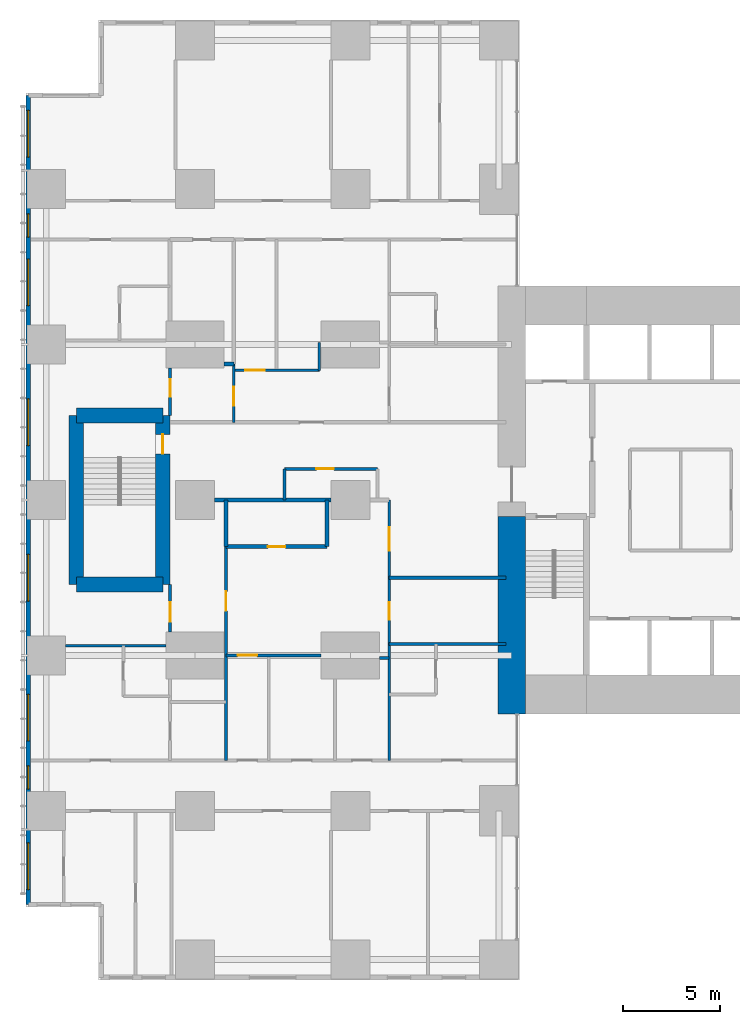
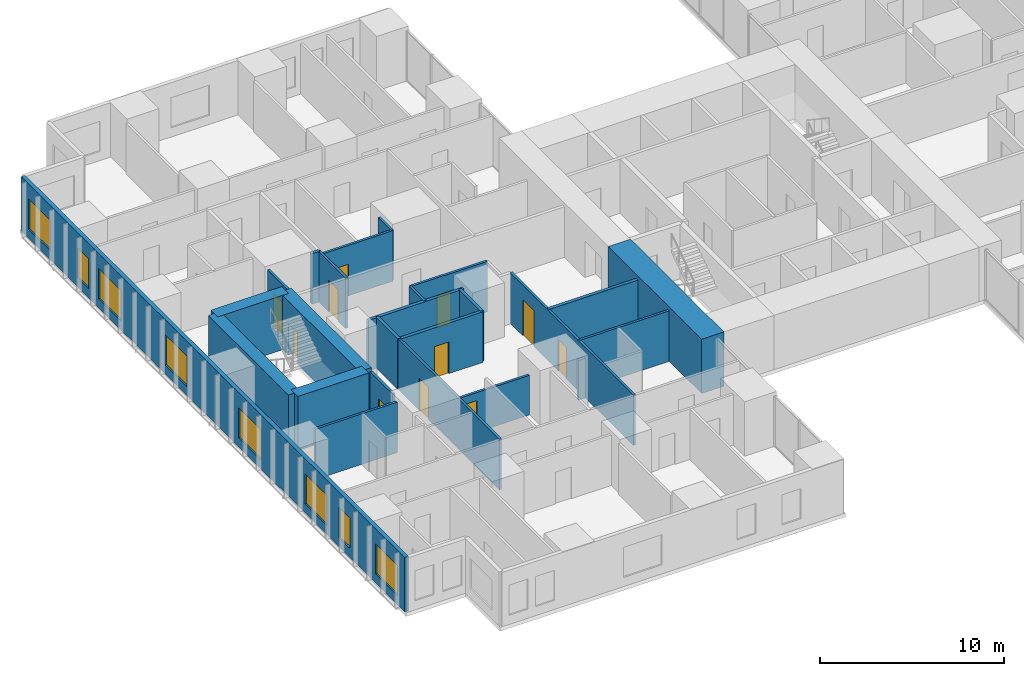
# One storey, part 13 of 20: 25 walls, 11 doors, 8 windows, 19 openings.
"""IFC4 building model written with IfcOpenShell, lengths in metres."""

from ifc_helpers import new_model, si_unit, direction, frame, frame_2d, origin, place, context, subcontext, project, spatial, rectangle, extrude, material, layer, layer_set, type_object, element, fill, save


model = new_model("IFC4")

# Units and contexts
model_context = context("Model", 3, precision=1e-05, world=origin(), true_north=direction((0.0, 1.0)))
body_context = subcontext(model_context, "Body", "Model", "MODEL_VIEW")
ifc_project = project(units=[si_unit("LENGTHUNIT", "METRE"), si_unit("AREAUNIT", "SQUARE_METRE"), si_unit("VOLUMEUNIT", "CUBIC_METRE"), si_unit("PLANEANGLEUNIT", "RADIAN"), si_unit("MASSUNIT", "GRAM", prefix="KILO")], contexts=[model_context])

# Site, building, storey
site_placement = place(None, origin())
site = spatial("IfcSite", under=ifc_project, at=site_placement, CompositionType="ELEMENT")
building_placement = place(site_placement, origin())
building = spatial("IfcBuilding", under=site, at=building_placement, Name="Cleftline Residences", CompositionType="ELEMENT")
storey_placement = place(building_placement, frame((0.0, 0.0, 83.60009765625)))
storey = spatial("IfcBuildingStorey", under=building, at=storey_placement, Name="L21", CompositionType="ELEMENT", Elevation=83.60009765625)

# Wall
ifc_material_1 = material(Name="Concrete B70", Category="concrete")
ifc_layer_1 = layer(ifc_material_1, 1.39990234375)
ifc_layer_set_1 = layer_set([ifc_layer_1], Name="CORE WALL 1400")
wall_type_1 = type_object("IfcWallType", Name="CORE WALL 1400", PredefinedType="SHEAR", material=ifc_layer_set_1)
wall_1_placement = place(storey_placement, frame((24.300048828125, 13.0, 0.0), z_axis=(0.0, 0.0, 1.0), x_axis=(0.0, 1.0, 0.0)))
element("IfcWall", 1, at=wall_1_placement, inside=storey, type_object=wall_type_1, Name="Core wall W0", PredefinedType="SHEAR", context=body_context, shape_type="SweptSolid", body=[
    extrude(rectangle(XDim=10.14990234375, YDim=1.39990234375, at=frame_2d((5.074951171875, 0.0))), origin(), (0.0, 0.0, 1.0), 3.599853515625),
])

# Wall, openings, windows
ifc_material_2 = material(Name="Rendered reinforced concrete blockwork", Category="masonry")
ifc_layer_2 = layer(ifc_material_2, 0.25)
ifc_layer_set_2 = layer_set([ifc_layer_2], Name="EXTERNAL WALL 250")
wall_type_2 = type_object("IfcWallType", Name="EXTERNAL WALL 250", PredefinedType="SOLIDWALL", material=ifc_layer_set_2)
wall_2_placement = place(storey_placement, frame((-0.574951171875, 44.824951171875, 0.0), z_axis=(0.0, 0.0, 1.0), x_axis=(0.0, -1.0, 0.0)))
wall_2 = element("IfcWall", 2, at=wall_2_placement, inside=storey, type_object=wall_type_2, Name="External wall", PredefinedType="SOLIDWALL", context=body_context, shape_type="SweptSolid", body=[
    extrude(rectangle(XDim=41.64990234375, YDim=0.25, at=frame_2d((20.824951171875, 0.0))), origin(), (0.0, 0.0, 1.0), 3.599853515625),
])
opening_1_placement = place(wall_2_placement, frame((0.77490234375, 0.0, 0.60009765625)))
opening_1 = element("IfcOpeningElement", 3, at=opening_1_placement, cuts=wall_2, Name="Opening W6", PredefinedType="OPENING", context=body_context, shape_type="SweptSolid", body=[
    extrude(rectangle(XDim=2.39990234375, YDim=2.0, at=frame_2d((1.199951171875, 1.0))), frame((0.0, 0.135009765625, 0.0), z_axis=(0.0, -1.0, 0.0), x_axis=(1.0, 0.0, 0.0)), (0.0, 0.0, 1.0), 0.27001953125),
])
opening_2_placement = place(wall_2_placement, frame((6.10009765625, 0.0, 0.60009765625)))
opening_2 = element("IfcOpeningElement", 4, at=opening_2_placement, cuts=wall_2, Name="Opening W8", PredefinedType="OPENING", context=body_context, shape_type="SweptSolid", body=[
    extrude(rectangle(XDim=1.199951171875, YDim=2.0, at=frame_2d((0.60009765625, 1.0))), frame((0.0, 0.135009765625, 0.0), z_axis=(0.0, -1.0, 0.0), x_axis=(1.0, 0.0, 0.0)), (0.0, 0.0, 1.0), 0.27001953125),
])
opening_3_placement = place(wall_2_placement, frame((8.425048828125, 0.0, 0.60009765625)))
opening_3 = element("IfcOpeningElement", 5, at=opening_3_placement, cuts=wall_2, Name="Opening W6", PredefinedType="OPENING", context=body_context, shape_type="SweptSolid", body=[
    extrude(rectangle(XDim=2.39990234375, YDim=2.0, at=frame_2d((1.199951171875, 1.0))), frame((0.0, 0.135009765625, 0.0), z_axis=(0.0, -1.0, 0.0), x_axis=(1.0, 0.0, 0.0)), (0.0, 0.0, 1.0), 0.27001953125),
])
opening_4_placement = place(wall_2_placement, frame((15.625, 0.0, 0.60009765625)))
opening_4 = element("IfcOpeningElement", 6, at=opening_4_placement, cuts=wall_2, Name="Opening W6", PredefinedType="OPENING", context=body_context, shape_type="SweptSolid", body=[
    extrude(rectangle(XDim=2.39990234375, YDim=2.0, at=frame_2d((1.199951171875, 1.0))), frame((0.0, 0.135009765625, 0.0), z_axis=(0.0, -1.0, 0.0), x_axis=(1.0, 0.0, 0.0)), (0.0, 0.0, 1.0), 0.27001953125),
])
opening_5_placement = place(wall_2_placement, frame((23.625, 0.0, 0.60009765625)))
opening_5 = element("IfcOpeningElement", 7, at=opening_5_placement, cuts=wall_2, Name="Opening W6", PredefinedType="OPENING", context=body_context, shape_type="SweptSolid", body=[
    extrude(rectangle(XDim=2.39990234375, YDim=2.0, at=frame_2d((1.199951171875, 1.0))), frame((0.0, 0.135009765625, 0.0), z_axis=(0.0, -1.0, 0.0), x_axis=(1.0, 0.0, 0.0)), (0.0, 0.0, 1.0), 0.27001953125),
])
opening_6_placement = place(wall_2_placement, frame((30.824951171875, 0.0, 0.60009765625)))
opening_6 = element("IfcOpeningElement", 8, at=opening_6_placement, cuts=wall_2, Name="Opening W6", PredefinedType="OPENING", context=body_context, shape_type="SweptSolid", body=[
    extrude(rectangle(XDim=2.39990234375, YDim=2.0, at=frame_2d((1.199951171875, 1.0))), frame((0.0, 0.135009765625, 0.0), z_axis=(0.0, -1.0, 0.0), x_axis=(1.0, 0.0, 0.0)), (0.0, 0.0, 1.0), 0.27001953125),
])
opening_7_placement = place(wall_2_placement, frame((34.5, 0.0, 0.60009765625)))
opening_7 = element("IfcOpeningElement", 9, at=opening_7_placement, cuts=wall_2, Name="Opening W8", PredefinedType="OPENING", context=body_context, shape_type="SweptSolid", body=[
    extrude(rectangle(XDim=1.199951171875, YDim=2.0, at=frame_2d((0.60009765625, 1.0))), frame((0.0, 0.135009765625, 0.0), z_axis=(0.0, -1.0, 0.0), x_axis=(1.0, 0.0, 0.0)), (0.0, 0.0, 1.0), 0.27001953125),
])
opening_8_placement = place(wall_2_placement, frame((38.47509765625, 0.0, 0.60009765625)))
opening_8 = element("IfcOpeningElement", 10, at=opening_8_placement, cuts=wall_2, Name="Opening W6", PredefinedType="OPENING", context=body_context, shape_type="SweptSolid", body=[
    extrude(rectangle(XDim=2.39990234375, YDim=2.0, at=frame_2d((1.199951171875, 1.0))), frame((0.0, 0.135009765625, 0.0), z_axis=(0.0, -1.0, 0.0), x_axis=(1.0, 0.0, 0.0)), (0.0, 0.0, 1.0), 0.27001953125),
])
ifc_material_3 = material(Name="Aluminium frame, clear double glazing", Category="aluminium")
window_type_1 = type_object("IfcWindowType", Name="WINDOW 1200X2000", PartitioningType="DOUBLE_PANEL_VERTICAL", PredefinedType="WINDOW", material=ifc_material_3)
window_1_placement = place(opening_2_placement, origin())
window_1 = element("IfcWindow", 11, at=window_1_placement, inside=storey, type_object=window_type_1, Name="Window", OverallHeight=2.0, OverallWidth=1.199951171875, PartitioningType="SINGLE_PANEL", PredefinedType="WINDOW", context=body_context, shape_type="SweptSolid", body=[
    extrude(rectangle(XDim=1.199951171875, YDim=2.0, at=frame_2d((0.60009765625, 1.0))), frame((0.0, 0.030029296875, 0.0), z_axis=(0.0, -1.0, 0.0), x_axis=(1.0, 0.0, 0.0)), (0.0, 0.0, 1.0), 0.06005859375),
])
fill(opening_2, window_1)
window_2_placement = place(opening_7_placement, origin())
window_2 = element("IfcWindow", 12, at=window_2_placement, inside=storey, type_object=window_type_1, Name="Window", OverallHeight=2.0, OverallWidth=1.199951171875, PartitioningType="SINGLE_PANEL", PredefinedType="WINDOW", context=body_context, shape_type="SweptSolid", body=[
    extrude(rectangle(XDim=1.199951171875, YDim=2.0, at=frame_2d((0.60009765625, 1.0))), frame((0.0, 0.030029296875, 0.0), z_axis=(0.0, -1.0, 0.0), x_axis=(1.0, 0.0, 0.0)), (0.0, 0.0, 1.0), 0.06005859375),
])
fill(opening_7, window_2)
ifc_material_4 = material(Name="Aluminium frame, clear double glazing", Category="aluminium")
window_type_2 = type_object("IfcWindowType", Name="WINDOW 2400X2000", PartitioningType="DOUBLE_PANEL_VERTICAL", PredefinedType="WINDOW", material=ifc_material_4)
window_3_placement = place(opening_1_placement, origin())
window_3 = element("IfcWindow", 13, at=window_3_placement, inside=storey, type_object=window_type_2, Name="Window", OverallHeight=2.0, OverallWidth=2.39990234375, PartitioningType="SINGLE_PANEL", PredefinedType="WINDOW", context=body_context, shape_type="SweptSolid", body=[
    extrude(rectangle(XDim=2.39990234375, YDim=2.0, at=frame_2d((1.199951171875, 1.0))), frame((0.0, 0.030029296875, 0.0), z_axis=(0.0, -1.0, 0.0), x_axis=(1.0, 0.0, 0.0)), (0.0, 0.0, 1.0), 0.06005859375),
])
fill(opening_1, window_3)
window_4_placement = place(opening_3_placement, origin())
window_4 = element("IfcWindow", 14, at=window_4_placement, inside=storey, type_object=window_type_2, Name="Window", OverallHeight=2.0, OverallWidth=2.39990234375, PartitioningType="SINGLE_PANEL", PredefinedType="WINDOW", context=body_context, shape_type="SweptSolid", body=[
    extrude(rectangle(XDim=2.39990234375, YDim=2.0, at=frame_2d((1.199951171875, 1.0))), frame((0.0, 0.030029296875, 0.0), z_axis=(0.0, -1.0, 0.0), x_axis=(1.0, 0.0, 0.0)), (0.0, 0.0, 1.0), 0.06005859375),
])
fill(opening_3, window_4)
window_5_placement = place(opening_4_placement, origin())
window_5 = element("IfcWindow", 15, at=window_5_placement, inside=storey, type_object=window_type_2, Name="Window", OverallHeight=2.0, OverallWidth=2.39990234375, PartitioningType="SINGLE_PANEL", PredefinedType="WINDOW", context=body_context, shape_type="SweptSolid", body=[
    extrude(rectangle(XDim=2.39990234375, YDim=2.0, at=frame_2d((1.199951171875, 1.0))), frame((0.0, 0.030029296875, 0.0), z_axis=(0.0, -1.0, 0.0), x_axis=(1.0, 0.0, 0.0)), (0.0, 0.0, 1.0), 0.06005859375),
])
fill(opening_4, window_5)
window_6_placement = place(opening_5_placement, origin())
window_6 = element("IfcWindow", 16, at=window_6_placement, inside=storey, type_object=window_type_2, Name="Window", OverallHeight=2.0, OverallWidth=2.39990234375, PartitioningType="SINGLE_PANEL", PredefinedType="WINDOW", context=body_context, shape_type="SweptSolid", body=[
    extrude(rectangle(XDim=2.39990234375, YDim=2.0, at=frame_2d((1.199951171875, 1.0))), frame((0.0, 0.030029296875, 0.0), z_axis=(0.0, -1.0, 0.0), x_axis=(1.0, 0.0, 0.0)), (0.0, 0.0, 1.0), 0.06005859375),
])
fill(opening_5, window_6)
window_7_placement = place(opening_6_placement, origin())
window_7 = element("IfcWindow", 17, at=window_7_placement, inside=storey, type_object=window_type_2, Name="Window", OverallHeight=2.0, OverallWidth=2.39990234375, PartitioningType="SINGLE_PANEL", PredefinedType="WINDOW", context=body_context, shape_type="SweptSolid", body=[
    extrude(rectangle(XDim=2.39990234375, YDim=2.0, at=frame_2d((1.199951171875, 1.0))), frame((0.0, 0.030029296875, 0.0), z_axis=(0.0, -1.0, 0.0), x_axis=(1.0, 0.0, 0.0)), (0.0, 0.0, 1.0), 0.06005859375),
])
fill(opening_6, window_7)
window_8_placement = place(opening_8_placement, origin())
window_8 = element("IfcWindow", 18, at=window_8_placement, inside=storey, type_object=window_type_2, Name="Window", OverallHeight=2.0, OverallWidth=2.39990234375, PartitioningType="SINGLE_PANEL", PredefinedType="WINDOW", context=body_context, shape_type="SweptSolid", body=[
    extrude(rectangle(XDim=2.39990234375, YDim=2.0, at=frame_2d((1.199951171875, 1.0))), frame((0.0, 0.030029296875, 0.0), z_axis=(0.0, -1.0, 0.0), x_axis=(1.0, 0.0, 0.0)), (0.0, 0.0, 1.0), 0.06005859375),
])
fill(opening_8, window_8)

# Wall
ifc_material_5 = material(Name="Concrete blockwork, fire rated", Category="masonry")
ifc_layer_3 = layer(ifc_material_5, 0.199951171875)
ifc_layer_set_3 = layer_set([ifc_layer_3], Name="FIRE WALL 200")
wall_type_3 = type_object("IfcWallType", Name="FIRE WALL 200", PredefinedType="PARTITIONING", material=ifc_layer_set_3)
wall_3_placement = place(storey_placement, frame((18.0, 20.0, 0.0), z_axis=(0.0, 0.0, 1.0), x_axis=(1.0, 0.0, 0.0)))
element("IfcWall", 19, at=wall_3_placement, inside=storey, type_object=wall_type_3, Name="Fire separating wall", PredefinedType="PARTITIONING", context=body_context, shape_type="SweptSolid", body=[
    extrude(rectangle(XDim=6.0, YDim=0.199951171875, at=frame_2d((3.0, 0.0))), origin(), (0.0, 0.0, 1.0), 3.349853515625),
])

# Wall, opening, door
wall_4_placement = place(storey_placement, frame((9.60009765625, 21.60009765625, 0.0), z_axis=(0.0, 0.0, 1.0), x_axis=(1.0, 0.0, 0.0)))
wall_4 = element("IfcWall", 20, at=wall_4_placement, inside=storey, type_object=wall_type_3, Name="Fire separating wall", PredefinedType="PARTITIONING", context=body_context, shape_type="SweptSolid", body=[
    extrude(rectangle(XDim=5.199951171875, YDim=0.199951171875, at=frame_2d((2.60009765625, 0.0))), origin(), (0.0, 0.0, 1.0), 3.349853515625),
])
opening_9_placement = place(wall_4_placement, frame((2.14990234375, 0.0, 0.0)))
opening_9 = element("IfcOpeningElement", 21, at=opening_9_placement, cuts=wall_4, Name="Opening D1F30", PredefinedType="OPENING", context=body_context, shape_type="SweptSolid", body=[
    extrude(rectangle(XDim=0.89990234375, YDim=2.10009765625, at=frame_2d((0.449951171875, 1.050048828125))), frame((0.0, 0.10986328125, 0.0), z_axis=(0.0, -1.0, 0.0), x_axis=(1.0, 0.0, 0.0)), (0.0, 0.0, 1.0), 0.219970703125),
])
ifc_material_6 = material(Name="Timber veneer on solid core", Category="wood")
door_type_1 = type_object("IfcDoorType", Name="DOOR 900X2100 EI 30", OperationType="SINGLE_SWING_LEFT", PredefinedType="DOOR", material=ifc_material_6)
door_1_placement = place(opening_9_placement, origin())
door_1 = element("IfcDoor", 22, at=door_1_placement, inside=storey, type_object=door_type_1, Name="Door to cloakroom wc", OperationType="SINGLE_SWING_LEFT", OverallHeight=2.10009765625, OverallWidth=0.89990234375, PredefinedType="DOOR", context=body_context, shape_type="SweptSolid", body=[
    extrude(rectangle(XDim=0.89990234375, YDim=2.10009765625, at=frame_2d((0.449951171875, 1.050048828125))), frame((0.0, 0.02490234375, 0.0), z_axis=(0.0, -1.0, 0.0), x_axis=(1.0, 0.0, 0.0)), (0.0, 0.0, 1.0), 0.050048828125),
])
fill(opening_9, door_1)

# Walls
wall_5_placement = place(storey_placement, frame((9.0, 24.0, 0.0), z_axis=(0.0, 0.0, 1.0), x_axis=(1.0, 0.0, 0.0)))
element("IfcWall", 23, at=wall_5_placement, inside=storey, type_object=wall_type_3, Name="Fire separating wall", PredefinedType="PARTITIONING", context=body_context, shape_type="SweptSolid", body=[
    extrude(rectangle(XDim=6.0, YDim=0.199951171875, at=frame_2d((3.0, 0.0))), origin(), (0.0, 0.0, 1.0), 3.349853515625),
])
wall_6_placement = place(storey_placement, frame((9.5, 31.0, 0.0), z_axis=(0.0, 0.0, 1.0), x_axis=(1.0, 0.0, 0.0)))
element("IfcWall", 24, at=wall_6_placement, inside=storey, type_object=wall_type_3, Name="Fire separating wall", PredefinedType="PARTITIONING", context=body_context, shape_type="SweptSolid", body=[
    extrude(rectangle(XDim=0.5, YDim=0.199951171875, at=frame_2d((0.25, 0.0))), origin(), (0.0, 0.0, 1.0), 3.349853515625),
])
for number, where, z_axis, x_axis, name in (
    (25, (9.60009765625, 21.60009765625, 0.0), (0.0, 0.0, 1.0), (0.0, 1.0, 0.0), "Fire separating wall"),
    (26, (14.800048828125, 21.60009765625, 0.0), (0.0, 0.0, 1.0), (0.0, 1.0, 0.0), "Fire separating wall"),
):
    element("IfcWall", number, at=place(storey_placement, frame(where, z_axis=z_axis, x_axis=x_axis)), inside=storey, type_object=wall_type_3, Name=name, PredefinedType="PARTITIONING", context=body_context, shape_type="SweptSolid", body=[
        extrude(rectangle(XDim=2.39990234375, YDim=0.199951171875, at=frame_2d((1.199951171875, 0.0))), origin(), (0.0, 0.0, 1.0), 3.349853515625),
    ])
ifc_material_7 = material(Name="Gypsum board on steel studs", Category="steel")
ifc_layer_4 = layer(ifc_material_7, 0.14990234375)
ifc_layer_set_4 = layer_set([ifc_layer_4], Name="PARTITION 150")
wall_type_4 = type_object("IfcWallType", Name="PARTITION 150", PredefinedType="PARTITIONING", material=ifc_layer_set_4)
wall_7_placement = place(storey_placement, frame((17.5, 15.875, 0.0), z_axis=(0.0, 0.0, 1.0), x_axis=(1.0, 0.0, 0.0)))
element("IfcWall", 27, at=wall_7_placement, inside=storey, type_object=wall_type_4, Name="Partition", PredefinedType="PARTITIONING", context=body_context, shape_type="SweptSolid", body=[
    extrude(rectangle(XDim=0.5, YDim=0.14990234375, at=frame_2d((0.25, 0.0))), origin(), (0.0, 0.0, 1.0), 2.6337890625),
])

# Wall, opening, door
wall_8_placement = place(storey_placement, frame((9.60009765625, 16.0, 0.0), z_axis=(0.0, 0.0, 1.0), x_axis=(1.0, 0.0, 0.0)))
wall_8 = element("IfcWall", 28, at=wall_8_placement, inside=storey, type_object=wall_type_4, Name="Partition", PredefinedType="PARTITIONING", context=body_context, shape_type="SweptSolid", body=[
    extrude(rectangle(XDim=4.89990234375, YDim=0.14990234375, at=frame_2d((2.449951171875, 0.0))), origin(), (0.0, 0.0, 1.0), 2.6337890625),
])
opening_10_placement = place(wall_8_placement, frame((0.60009765625, 0.0, 0.0)))
opening_10 = element("IfcOpeningElement", 29, at=opening_10_placement, cuts=wall_8, Name="Opening D2", PredefinedType="OPENING", context=body_context, shape_type="SweptSolid", body=[
    extrude(rectangle(XDim=1.0, YDim=2.10009765625, at=frame_2d((0.5, 1.050048828125))), frame((0.0, 0.0849609375, 0.0), z_axis=(0.0, -1.0, 0.0), x_axis=(1.0, 0.0, 0.0)), (0.0, 0.0, 1.0), 0.169921875),
])
ifc_material_8 = material(Name="Timber veneer on solid core", Category="wood")
door_type_2 = type_object("IfcDoorType", Name="DOOR 1000X2100", OperationType="SINGLE_SWING_LEFT", PredefinedType="DOOR", material=ifc_material_8)
door_2_placement = place(opening_10_placement, origin())
door_2 = element("IfcDoor", 30, at=door_2_placement, inside=storey, type_object=door_type_2, Name="Door to residence passage", OperationType="SINGLE_SWING_RIGHT", OverallHeight=2.10009765625, OverallWidth=1.0, PredefinedType="DOOR", context=body_context, shape_type="SweptSolid", body=[
    extrude(rectangle(XDim=1.0, YDim=2.10009765625, at=frame_2d((0.5, 1.050048828125))), frame((0.0, 0.02490234375, 0.0), z_axis=(0.0, -1.0, 0.0), x_axis=(1.0, 0.0, 0.0)), (0.0, 0.0, 1.0), 0.050048828125),
])
fill(opening_10, door_2)

# Walls
wall_9_placement = place(storey_placement, frame((1.35009765625, 16.5, 0.0), z_axis=(0.0, 0.0, 1.0), x_axis=(1.0, 0.0, 0.0)))
element("IfcWall", 31, at=wall_9_placement, inside=storey, type_object=wall_type_4, Name="Partition", PredefinedType="PARTITIONING", context=body_context, shape_type="SweptSolid", body=[
    extrude(rectangle(XDim=5.14990234375, YDim=0.14990234375, at=frame_2d((2.574951171875, 0.0))), origin(), (0.0, 0.0, 1.0), 3.349853515625),
])
wall_10_placement = place(storey_placement, frame((18.0, 16.60009765625, 0.0), z_axis=(0.0, 0.0, 1.0), x_axis=(1.0, 0.0, 0.0)))
element("IfcWall", 32, at=wall_10_placement, inside=storey, type_object=wall_type_4, Name="Partition", PredefinedType="PARTITIONING", context=body_context, shape_type="SweptSolid", body=[
    extrude(rectangle(XDim=6.0, YDim=0.14990234375, at=frame_2d((3.0, 0.0))), origin(), (0.0, 0.0, 1.0), 3.349853515625),
])

# Wall, opening, door
wall_11_placement = place(storey_placement, frame((12.60009765625, 25.60009765625, 0.0), z_axis=(0.0, 0.0, 1.0), x_axis=(1.0, 0.0, 0.0)))
wall_11 = element("IfcWall", 33, at=wall_11_placement, inside=storey, type_object=wall_type_4, Name="Partition", PredefinedType="PARTITIONING", context=body_context, shape_type="SweptSolid", body=[
    extrude(rectangle(XDim=4.7998046875, YDim=0.14990234375, at=frame_2d((2.39990234375, 0.0))), origin(), (0.0, 0.0, 1.0), 3.349853515625),
])
opening_11_placement = place(wall_11_placement, frame((1.64990234375, 0.0, 0.0)))
opening_11 = element("IfcOpeningElement", 34, at=opening_11_placement, cuts=wall_11, Name="Opening D1", PredefinedType="OPENING", context=body_context, shape_type="SweptSolid", body=[
    extrude(rectangle(XDim=0.89990234375, YDim=2.10009765625, at=frame_2d((0.449951171875, 1.050048828125))), frame((0.0, 0.0849609375, 0.0), z_axis=(0.0, -1.0, 0.0), x_axis=(1.0, 0.0, 0.0)), (0.0, 0.0, 1.0), 0.169921875),
])
ifc_material_9 = material(Name="Timber veneer on solid core", Category="wood")
door_type_3 = type_object("IfcDoorType", Name="DOOR 900X2100", OperationType="SINGLE_SWING_LEFT", PredefinedType="DOOR", material=ifc_material_9)
door_3_placement = place(opening_11_placement, origin())
door_3 = element("IfcDoor", 35, at=door_3_placement, inside=storey, type_object=door_type_3, Name="Door to bulky waste room", OperationType="SINGLE_SWING_RIGHT", OverallHeight=2.10009765625, OverallWidth=0.89990234375, PredefinedType="DOOR", context=body_context, shape_type="SweptSolid", body=[
    extrude(rectangle(XDim=0.89990234375, YDim=2.10009765625, at=frame_2d((0.449951171875, 1.050048828125))), frame((0.0, 0.02490234375, 0.0), z_axis=(0.0, -1.0, 0.0), x_axis=(1.0, 0.0, 0.0)), (0.0, 0.0, 1.0), 0.050048828125),
])
fill(opening_11, door_3)

wall_12_placement = place(storey_placement, frame((10.0, 30.675048828125, 0.0), z_axis=(0.0, 0.0, 1.0), x_axis=(1.0, 0.0, 0.0)))
wall_12 = element("IfcWall", 36, at=wall_12_placement, inside=storey, type_object=wall_type_4, Name="Partition", PredefinedType="PARTITIONING", context=body_context, shape_type="SweptSolid", body=[
    extrude(rectangle(XDim=4.39990234375, YDim=0.14990234375, at=frame_2d((2.199951171875, 0.0))), origin(), (0.0, 0.0, 1.0), 3.349853515625),
])
opening_12_placement = place(wall_12_placement, frame((0.60009765625, 0.0, 0.0)))
opening_12 = element("IfcOpeningElement", 37, at=opening_12_placement, cuts=wall_12, Name="Opening D2", PredefinedType="OPENING", context=body_context, shape_type="SweptSolid", body=[
    extrude(rectangle(XDim=1.0, YDim=2.10009765625, at=frame_2d((0.5, 1.050048828125))), frame((0.0, 0.0849609375, 0.0), z_axis=(0.0, -1.0, 0.0), x_axis=(1.0, 0.0, 0.0)), (0.0, 0.0, 1.0), 0.169921875),
])
door_4_placement = place(opening_12_placement, origin())
door_4 = element("IfcDoor", 38, at=door_4_placement, inside=storey, type_object=door_type_2, Name="Door to residence passage", OperationType="SINGLE_SWING_RIGHT", OverallHeight=2.10009765625, OverallWidth=1.0, PredefinedType="DOOR", context=body_context, shape_type="SweptSolid", body=[
    extrude(rectangle(XDim=1.0, YDim=2.10009765625, at=frame_2d((0.5, 1.050048828125))), frame((0.0, 0.02490234375, 0.0), z_axis=(0.0, -1.0, 0.0), x_axis=(1.0, 0.0, 0.0)), (0.0, 0.0, 1.0), 0.050048828125),
])
fill(opening_12, door_4)

wall_13_placement = place(storey_placement, frame((6.72509765625, 17.199951171875, 0.0), z_axis=(0.0, 0.0, 1.0), x_axis=(0.0, 1.0, 0.0)))
wall_13 = element("IfcWall", 39, at=wall_13_placement, inside=storey, type_object=wall_type_4, Name="Partition", PredefinedType="PARTITIONING", context=body_context, shape_type="SweptSolid", body=[
    extrude(rectangle(XDim=2.449951171875, YDim=0.14990234375, at=frame_2d((1.22509765625, 0.0))), origin(), (0.0, 0.0, 1.0), 3.349853515625),
])
opening_13_placement = place(wall_13_placement, frame((0.53759765625, 0.0, 0.0)))
opening_13 = element("IfcOpeningElement", 40, at=opening_13_placement, cuts=wall_13, Name="Opening D2", PredefinedType="OPENING", context=body_context, shape_type="SweptSolid", body=[
    extrude(rectangle(XDim=1.0, YDim=2.10009765625, at=frame_2d((0.5, 1.050048828125))), frame((0.0, 0.0849609375, 0.0), z_axis=(0.0, -1.0, 0.0), x_axis=(1.0, 0.0, 0.0)), (0.0, 0.0, 1.0), 0.169921875),
])
door_5_placement = place(opening_13_placement, origin())
door_5 = element("IfcDoor", 41, at=door_5_placement, inside=storey, type_object=door_type_2, Name="Door to altar room", OperationType="SINGLE_SWING_RIGHT", OverallHeight=2.10009765625, OverallWidth=1.0, PredefinedType="DOOR", context=body_context, shape_type="SweptSolid", body=[
    extrude(rectangle(XDim=1.0, YDim=2.10009765625, at=frame_2d((0.5, 1.050048828125))), frame((0.0, 0.02490234375, 0.0), z_axis=(0.0, -1.0, 0.0), x_axis=(1.0, 0.0, 0.0)), (0.0, 0.0, 1.0), 0.050048828125),
])
fill(opening_13, door_5)

wall_14_placement = place(storey_placement, frame((6.72509765625, 28.35009765625, 0.0), z_axis=(0.0, 0.0, 1.0), x_axis=(0.0, 1.0, 0.0)))
wall_14 = element("IfcWall", 42, at=wall_14_placement, inside=storey, type_object=wall_type_4, Name="Partition", PredefinedType="PARTITIONING", context=body_context, shape_type="SweptSolid", body=[
    extrude(rectangle(XDim=2.449951171875, YDim=0.14990234375, at=frame_2d((1.22509765625, 0.0))), origin(), (0.0, 0.0, 1.0), 3.349853515625),
])
opening_14_placement = place(wall_14_placement, frame((0.96240234375, 0.0, 0.0)))
opening_14 = element("IfcOpeningElement", 43, at=opening_14_placement, cuts=wall_14, Name="Opening D1", PredefinedType="OPENING", context=body_context, shape_type="SweptSolid", body=[
    extrude(rectangle(XDim=0.89990234375, YDim=2.10009765625, at=frame_2d((0.449951171875, 1.050048828125))), frame((0.0, 0.0849609375, 0.0), z_axis=(0.0, -1.0, 0.0), x_axis=(1.0, 0.0, 0.0)), (0.0, 0.0, 1.0), 0.169921875),
])
door_6_placement = place(opening_14_placement, origin())
door_6 = element("IfcDoor", 44, at=door_6_placement, inside=storey, type_object=door_type_3, Name="Door to drying loggia", OperationType="SINGLE_SWING_LEFT", OverallHeight=2.10009765625, OverallWidth=0.89990234375, PredefinedType="DOOR", context=body_context, shape_type="SweptSolid", body=[
    extrude(rectangle(XDim=0.89990234375, YDim=2.10009765625, at=frame_2d((0.449951171875, 1.050048828125))), frame((0.0, 0.02490234375, 0.0), z_axis=(0.0, -1.0, 0.0), x_axis=(1.0, 0.0, 0.0)), (0.0, 0.0, 1.0), 0.050048828125),
])
fill(opening_14, door_6)

wall_15_placement = place(storey_placement, frame((9.60009765625, 10.60009765625, 0.0), z_axis=(0.0, 0.0, 1.0), x_axis=(0.0, 1.0, 0.0)))
wall_15 = element("IfcWall", 45, at=wall_15_placement, inside=storey, type_object=wall_type_4, Name="Partition", PredefinedType="PARTITIONING", context=body_context, shape_type="SweptSolid", body=[
    extrude(rectangle(XDim=11.0, YDim=0.14990234375, at=frame_2d((5.5, 0.0))), origin(), (0.0, 0.0, 1.0), 3.349853515625),
])
opening_15_placement = place(wall_15_placement, frame((7.699951171875, 0.0, 0.0)))
opening_15 = element("IfcOpeningElement", 46, at=opening_15_placement, cuts=wall_15, Name="Opening D2F30", PredefinedType="OPENING", context=body_context, shape_type="SweptSolid", body=[
    extrude(rectangle(XDim=1.0, YDim=2.10009765625, at=frame_2d((0.5, 1.050048828125))), frame((0.0, 0.0849609375, 0.0), z_axis=(0.0, -1.0, 0.0), x_axis=(1.0, 0.0, 0.0)), (0.0, 0.0, 1.0), 0.169921875),
])
ifc_material_10 = material(Name="Timber veneer on solid core", Category="wood")
door_type_4 = type_object("IfcDoorType", Name="DOOR 1000X2100 EI 30", OperationType="SINGLE_SWING_LEFT", PredefinedType="DOOR", material=ifc_material_10)
door_7_placement = place(opening_15_placement, origin())
door_7 = element("IfcDoor", 47, at=door_7_placement, inside=storey, type_object=door_type_4, Name="Door to residence lobby", OperationType="SINGLE_SWING_LEFT", OverallHeight=2.10009765625, OverallWidth=1.0, PredefinedType="DOOR", context=body_context, shape_type="SweptSolid", body=[
    extrude(rectangle(XDim=1.0, YDim=2.10009765625, at=frame_2d((0.5, 1.050048828125))), frame((0.0, 0.02490234375, 0.0), z_axis=(0.0, -1.0, 0.0), x_axis=(1.0, 0.0, 0.0)), (0.0, 0.0, 1.0), 0.050048828125),
])
fill(opening_15, door_7)

wall_16_placement = place(storey_placement, frame((10.0, 28.0, 0.0), z_axis=(0.0, 0.0, 1.0), x_axis=(0.0, 1.0, 0.0)))
wall_16 = element("IfcWall", 48, at=wall_16_placement, inside=storey, type_object=wall_type_4, Name="Partition", PredefinedType="PARTITIONING", context=body_context, shape_type="SweptSolid", body=[
    extrude(rectangle(XDim=3.0, YDim=0.14990234375, at=frame_2d((1.5, 0.0))), origin(), (0.0, 0.0, 1.0), 3.349853515625),
])
opening_16_placement = place(wall_16_placement, frame((0.83740234375, 0.0, 0.0)))
opening_16 = element("IfcOpeningElement", 49, at=opening_16_placement, cuts=wall_16, Name="Opening D2F30", PredefinedType="OPENING", context=body_context, shape_type="SweptSolid", body=[
    extrude(rectangle(XDim=1.0, YDim=2.10009765625, at=frame_2d((0.5, 1.050048828125))), frame((0.0, 0.0849609375, 0.0), z_axis=(0.0, -1.0, 0.0), x_axis=(1.0, 0.0, 0.0)), (0.0, 0.0, 1.0), 0.169921875),
])
door_8_placement = place(opening_16_placement, origin())
door_8 = element("IfcDoor", 50, at=door_8_placement, inside=storey, type_object=door_type_4, Name="Door to residence lobby", OperationType="SINGLE_SWING_RIGHT", OverallHeight=2.10009765625, OverallWidth=1.0, PredefinedType="DOOR", context=body_context, shape_type="SweptSolid", body=[
    extrude(rectangle(XDim=1.0, YDim=2.10009765625, at=frame_2d((0.5, 1.050048828125))), frame((0.0, 0.02490234375, 0.0), z_axis=(0.0, -1.0, 0.0), x_axis=(1.0, 0.0, 0.0)), (0.0, 0.0, 1.0), 0.050048828125),
])
fill(opening_16, door_8)

# Walls
wall_17_placement = place(storey_placement, frame((12.60009765625, 24.0, 0.0), z_axis=(0.0, 0.0, 1.0), x_axis=(0.0, 1.0, 0.0)))
element("IfcWall", 51, at=wall_17_placement, inside=storey, type_object=wall_type_4, Name="Partition", PredefinedType="PARTITIONING", context=body_context, shape_type="SweptSolid", body=[
    extrude(rectangle(XDim=1.60009765625, YDim=0.14990234375, at=frame_2d((0.800048828125, 0.0))), origin(), (0.0, 0.0, 1.0), 3.349853515625),
])
wall_18_placement = place(storey_placement, frame((14.39990234375, 30.675048828125, 0.0), z_axis=(0.0, 0.0, 1.0), x_axis=(0.0, 1.0, 0.0)))
element("IfcWall", 52, at=wall_18_placement, inside=storey, type_object=wall_type_4, Name="Partition", PredefinedType="PARTITIONING", context=body_context, shape_type="SweptSolid", body=[
    extrude(rectangle(XDim=1.425048828125, YDim=0.14990234375, at=frame_2d((0.71240234375, 0.0))), origin(), (0.0, 0.0, 1.0), 3.349853515625),
])

# Wall, openings, doors
wall_19_placement = place(storey_placement, frame((18.0, 10.60009765625, 0.0), z_axis=(0.0, 0.0, 1.0), x_axis=(0.0, 1.0, 0.0)))
wall_19 = element("IfcWall", 53, at=wall_19_placement, inside=storey, type_object=wall_type_4, Name="Partition", PredefinedType="PARTITIONING", context=body_context, shape_type="SweptSolid", body=[
    extrude(rectangle(XDim=13.39990234375, YDim=0.14990234375, at=frame_2d((6.699951171875, 0.0))), origin(), (0.0, 0.0, 1.0), 3.349853515625),
])
opening_17_placement = place(wall_19_placement, frame((10.800048828125, 0.0, 0.0)))
opening_17 = element("IfcOpeningElement", 54, at=opening_17_placement, cuts=wall_19, Name="Opening D4", PredefinedType="OPENING", context=body_context, shape_type="SweptSolid", body=[
    extrude(rectangle(XDim=1.199951171875, YDim=2.39990234375, at=frame_2d((0.60009765625, 1.199951171875))), frame((0.0, 0.0849609375, 0.0), z_axis=(0.0, -1.0, 0.0), x_axis=(1.0, 0.0, 0.0)), (0.0, 0.0, 1.0), 0.169921875),
])
opening_18_placement = place(wall_19_placement, frame((7.25, 0.0, 0.0)))
opening_18 = element("IfcOpeningElement", 55, at=opening_18_placement, cuts=wall_19, Name="Opening D1F60", PredefinedType="OPENING", context=body_context, shape_type="SweptSolid", body=[
    extrude(rectangle(XDim=0.89990234375, YDim=2.10009765625, at=frame_2d((0.449951171875, 1.050048828125))), frame((0.0, 0.0849609375, 0.0), z_axis=(0.0, -1.0, 0.0), x_axis=(1.0, 0.0, 0.0)), (0.0, 0.0, 1.0), 0.169921875),
])
ifc_material_11 = material(Name="Timber veneer on solid core", Category="wood")
door_type_5 = type_object("IfcDoorType", Name="APARTMENT ENTRANCE DOOR 1200X2400", OperationType="SINGLE_SWING_RIGHT", PredefinedType="DOOR", material=ifc_material_11)
door_9_placement = place(opening_17_placement, origin())
door_9 = element("IfcDoor", 56, at=door_9_placement, inside=storey, type_object=door_type_5, Name="Door to residence entrance foyer", OperationType="SINGLE_SWING_LEFT", OverallHeight=2.39990234375, OverallWidth=1.199951171875, PredefinedType="DOOR", context=body_context, shape_type="SweptSolid", body=[
    extrude(rectangle(XDim=1.199951171875, YDim=2.39990234375, at=frame_2d((0.60009765625, 1.199951171875))), frame((0.0, 0.02490234375, 0.0), z_axis=(0.0, -1.0, 0.0), x_axis=(1.0, 0.0, 0.0)), (0.0, 0.0, 1.0), 0.050048828125),
])
fill(opening_17, door_9)
ifc_material_12 = material(Name="Timber veneer on solid core", Category="wood")
door_type_6 = type_object("IfcDoorType", Name="DOOR 900X2100 EI 60", OperationType="SINGLE_SWING_LEFT", PredefinedType="DOOR", material=ifc_material_12)
door_10_placement = place(opening_18_placement, origin())
door_10 = element("IfcDoor", 57, at=door_10_placement, inside=storey, type_object=door_type_6, Name="Door to drying loggia", OperationType="SINGLE_SWING_LEFT", OverallHeight=2.10009765625, OverallWidth=0.89990234375, PredefinedType="DOOR", context=body_context, shape_type="SweptSolid", body=[
    extrude(rectangle(XDim=0.89990234375, YDim=2.10009765625, at=frame_2d((0.449951171875, 1.050048828125))), frame((0.0, 0.02490234375, 0.0), z_axis=(0.0, -1.0, 0.0), x_axis=(1.0, 0.0, 0.0)), (0.0, 0.0, 1.0), 0.050048828125),
])
fill(opening_18, door_10)

# Wall
ifc_material_13 = material(Name="Concrete B70", Category="concrete")
ifc_layer_5 = layer(ifc_material_13, 0.75)
ifc_layer_set_5 = layer_set([ifc_layer_5], Name="SHEAR WALL 750")
wall_type_5 = type_object("IfcWallType", Name="SHEAR WALL 750", PredefinedType="SHEAR", material=ifc_layer_set_5)
wall_20_placement = place(storey_placement, frame((1.89990234375, 19.64990234375, 0.0), z_axis=(0.0, 0.0, 1.0), x_axis=(1.0, 0.0, 0.0)))
element("IfcWall", 58, at=wall_20_placement, inside=storey, type_object=wall_type_5, Name="Wing shear wall", PredefinedType="SHEAR", context=body_context, shape_type="SweptSolid", body=[
    extrude(rectangle(XDim=4.4501953125, YDim=0.75, at=frame_2d((2.22509765625, 0.0))), origin(), (0.0, 0.0, 1.0), 3.599853515625),
])

# Wall, opening, door
wall_21_placement = place(storey_placement, frame((6.35009765625, 19.64990234375, 0.0), z_axis=(0.0, 0.0, 1.0), x_axis=(0.0, 1.0, 0.0)))
wall_21 = element("IfcWall", 59, at=wall_21_placement, inside=storey, type_object=wall_type_5, Name="Wing shear wall", PredefinedType="SHEAR", context=body_context, shape_type="SweptSolid", body=[
    extrude(rectangle(XDim=8.7001953125, YDim=0.75, at=frame_2d((4.35009765625, 0.0))), origin(), (0.0, 0.0, 1.0), 3.599853515625),
])
opening_19_placement = place(wall_21_placement, frame((6.72509765625, 0.0, 0.0)))
opening_19 = element("IfcOpeningElement", 60, at=opening_19_placement, cuts=wall_21, Name="Opening D5", PredefinedType="OPENING", context=body_context, shape_type="SweptSolid", body=[
    extrude(rectangle(XDim=1.0, YDim=2.10009765625, at=frame_2d((0.5, 1.050048828125))), frame((0.0, 0.385009765625, 0.0), z_axis=(0.0, -1.0, 0.0), x_axis=(1.0, 0.0, 0.0)), (0.0, 0.0, 1.0), 0.77001953125),
])
ifc_material_14 = material(Name="Steel", Category="steel")
door_type_7 = type_object("IfcDoorType", Name="STAIR DOOR 1000X2100", OperationType="SINGLE_SWING_LEFT", PredefinedType="DOOR", material=ifc_material_14)
door_11_placement = place(opening_19_placement, origin())
door_11 = element("IfcDoor", 61, at=door_11_placement, inside=storey, type_object=door_type_7, Name="Stair W door", OperationType="SINGLE_SWING_LEFT", OverallHeight=2.10009765625, OverallWidth=1.0, PredefinedType="DOOR", context=body_context, shape_type="SweptSolid", body=[
    extrude(rectangle(XDim=1.0, YDim=2.10009765625, at=frame_2d((0.5, 1.050048828125))), frame((0.0, 0.02490234375, 0.0), z_axis=(0.0, -1.0, 0.0), x_axis=(1.0, 0.0, 0.0)), (0.0, 0.0, 1.0), 0.050048828125),
])
fill(opening_19, door_11)

# Walls
wall_22_placement = place(storey_placement, frame((6.35009765625, 28.35009765625, 0.0), z_axis=(0.0, 0.0, 1.0), x_axis=(-1.0, 0.0, 0.0)))
element("IfcWall", 62, at=wall_22_placement, inside=storey, type_object=wall_type_5, Name="Wing shear wall", PredefinedType="SHEAR", context=body_context, shape_type="SweptSolid", body=[
    extrude(rectangle(XDim=4.4501953125, YDim=0.75, at=frame_2d((2.22509765625, 0.0))), origin(), (0.0, 0.0, 1.0), 3.599853515625),
])
wall_23_placement = place(storey_placement, frame((1.89990234375, 28.35009765625, 0.0), z_axis=(0.0, 0.0, 1.0), x_axis=(0.0, -1.0, 0.0)))
element("IfcWall", 63, at=wall_23_placement, inside=storey, type_object=wall_type_5, Name="Wing shear wall", PredefinedType="SHEAR", context=body_context, shape_type="SweptSolid", body=[
    extrude(rectangle(XDim=8.7001953125, YDim=0.75, at=frame_2d((4.35009765625, 0.0))), origin(), (0.0, 0.0, 1.0), 3.599853515625),
])

save(model, "model.ifc")
